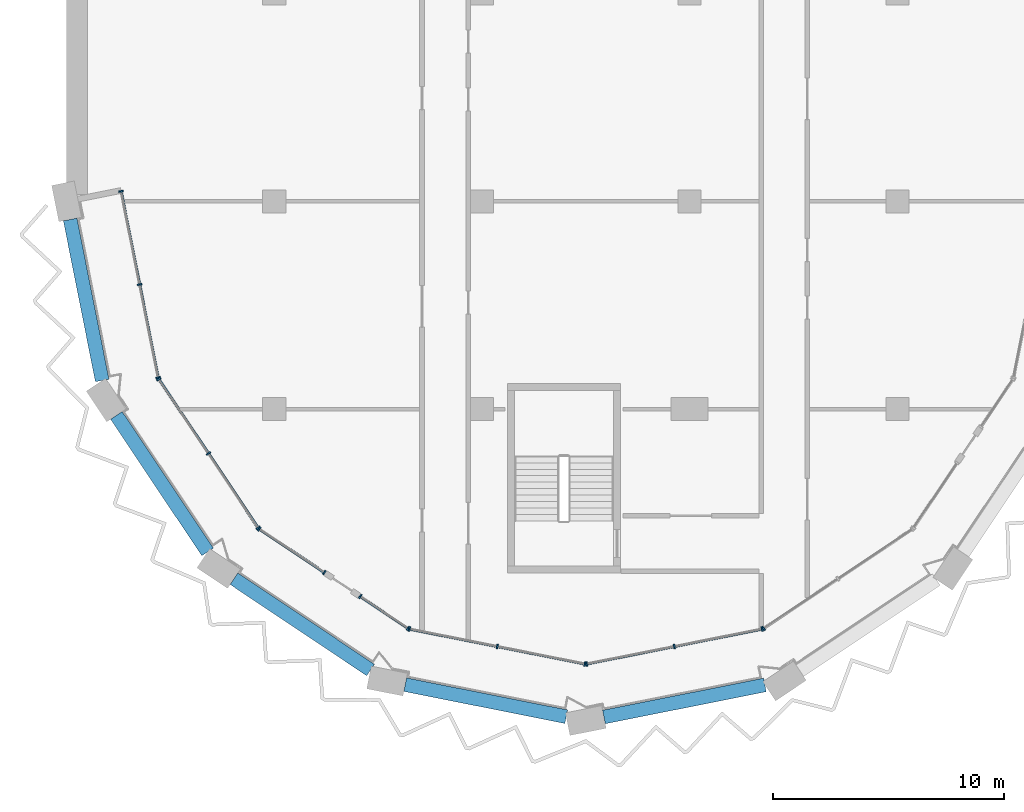
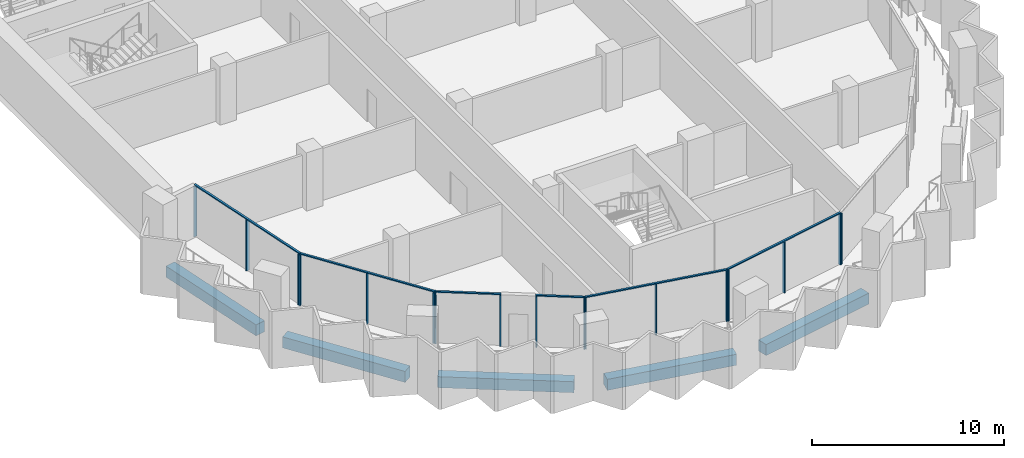
# One storey, part 2 of 16: 23 members, 5 beams, 7 elements without a shape of their own.
"""IFC4 building model written with IfcOpenShell, lengths in metres."""

from ifc_helpers import new_model, si_unit, direction, frame, origin, origin_2d, place, context, subcontext, project, spatial, rectangle, extrude, material, material_profile, profile_set, type_object, element, aggregate, save


model = new_model("IFC4")

# Units and contexts
model_context = context("Model", 3, precision=1e-05, world=origin(), true_north=direction((0.0, 1.0)))
body_context = subcontext(model_context, "Body", "Model", "MODEL_VIEW")
ifc_project = project(units=[si_unit("LENGTHUNIT", "METRE"), si_unit("AREAUNIT", "SQUARE_METRE"), si_unit("VOLUMEUNIT", "CUBIC_METRE"), si_unit("PLANEANGLEUNIT", "RADIAN"), si_unit("MASSUNIT", "GRAM", prefix="KILO")], contexts=[model_context])

# Site, building, storey
site_placement = place(None, origin())
site = spatial("IfcSite", under=ifc_project, at=site_placement, CompositionType="ELEMENT")
building_placement = place(site_placement, origin())
building = spatial("IfcBuilding", under=site, at=building_placement, Name="Hunhe Ridgeline Campus", CompositionType="ELEMENT")
storey_placement = place(building_placement, frame((0.0, 0.0, 242.89990234375)))
storey = spatial("IfcBuildingStorey", under=building, at=storey_placement, Name="L62", CompositionType="ELEMENT", Elevation=242.89990234375)

# Curtain wall, members
ifc_material_1 = material(Name="Aluminium 6063", Category="aluminium")
curtain_wall_type = type_object("IfcCurtainWallType", Name="Curtain wall CW-5", PredefinedType="NOTDEFINED", material=ifc_material_1)
curtain_wall_1_placement = place(storey_placement, origin())
curtain_wall_1 = element("IfcCurtainWall", 1, at=curtain_wall_1_placement, inside=storey, type_object=curtain_wall_type, Name="Curtain wall 01", PredefinedType="NOTDEFINED")
ifc_material_profile_1 = material_profile(ifc_material_1, rectangle(XDim=0.199951171875, YDim=0.070068359375, at=origin_2d()))
ifc_profile_set_1 = profile_set([ifc_material_profile_1], Name="Aluminium 6063")
member_type_1 = type_object("IfcMemberType", Name="CW-5 aluminium mullion", PredefinedType="MULLION", material=ifc_profile_set_1)
member_1_placement = place(storey_placement, frame((2.361572265625, 45.434326171875, 0.0), z_axis=(0.0, 0.0, 1.0), x_axis=(0.980784280831, 0.195095347137, 0.0)))
member_1 = element("IfcMember", 2, at=member_1_placement, type_object=member_type_1, Name="CW-5 mullion 1", PredefinedType="MULLION", context=body_context, shape_type="SweptSolid", body=[
    extrude(rectangle(XDim=0.199951171875, YDim=0.070068359375, at=origin_2d()), origin(), (0.0, 0.0, 1.0), 3.22998046875),
])
member_2_placement = place(storey_placement, frame((3.16455078125, 41.3974609375, 0.0), z_axis=(0.0, 0.0, 1.0), x_axis=(0.980784280831, 0.195095347137, 0.0)))
member_2 = element("IfcMember", 3, at=member_2_placement, type_object=member_type_1, Name="CW-5 mullion 2", PredefinedType="MULLION", context=body_context, shape_type="SweptSolid", body=[
    extrude(rectangle(XDim=0.199951171875, YDim=0.070068359375, at=origin_2d()), origin(), (0.0, 0.0, 1.0), 3.22998046875),
])
member_3_placement = place(storey_placement, frame((3.967529296875, 37.36083984375, 0.0), z_axis=(0.0, 0.0, 1.0), x_axis=(0.980784280831, 0.195095347137, 0.0)))
member_3 = element("IfcMember", 4, at=member_3_placement, type_object=member_type_1, Name="CW-5 mullion 3", PredefinedType="MULLION", context=body_context, shape_type="SweptSolid", body=[
    extrude(rectangle(XDim=0.199951171875, YDim=0.070068359375, at=origin_2d()), origin(), (0.0, 0.0, 1.0), 3.22998046875),
])

curtain_wall_2_placement = place(storey_placement, origin())
curtain_wall_2 = element("IfcCurtainWall", 5, at=curtain_wall_2_placement, inside=storey, type_object=curtain_wall_type, Name="Curtain wall 02", PredefinedType="NOTDEFINED")
member_4_placement = place(storey_placement, frame((3.993896484375, 37.29736328125, 0.0), z_axis=(0.0, 0.0, 1.0), x_axis=(0.831469584522, 0.555570274596, 0.0)))
member_4 = element("IfcMember", 6, at=member_4_placement, type_object=member_type_1, Name="CW-5 mullion 1", PredefinedType="MULLION", context=body_context, shape_type="SweptSolid", body=[
    extrude(rectangle(XDim=0.199951171875, YDim=0.070068359375, at=origin_2d()), origin(), (0.0, 0.0, 1.0), 3.22998046875),
])
member_5_placement = place(storey_placement, frame((6.147705078125, 34.07373046875, 0.0), z_axis=(0.0, 0.0, 1.0), x_axis=(0.831469584522, 0.555570274596, 0.0)))
member_5 = element("IfcMember", 7, at=member_5_placement, type_object=member_type_1, Name="CW-5 mullion 2", PredefinedType="MULLION", context=body_context, shape_type="SweptSolid", body=[
    extrude(rectangle(XDim=0.199951171875, YDim=0.070068359375, at=origin_2d()), origin(), (0.0, 0.0, 1.0), 3.22998046875),
])
member_6_placement = place(storey_placement, frame((8.3017578125, 30.850341796875, 0.0), z_axis=(0.0, 0.0, 1.0), x_axis=(0.831469584522, 0.555570274596, 0.0)))
member_6 = element("IfcMember", 8, at=member_6_placement, type_object=member_type_1, Name="CW-5 mullion 3", PredefinedType="MULLION", context=body_context, shape_type="SweptSolid", body=[
    extrude(rectangle(XDim=0.199951171875, YDim=0.070068359375, at=origin_2d()), origin(), (0.0, 0.0, 1.0), 3.22998046875),
])

curtain_wall_3_placement = place(storey_placement, origin())
curtain_wall_3 = element("IfcCurtainWall", 9, at=curtain_wall_3_placement, inside=storey, type_object=curtain_wall_type, Name="Curtain wall 03", PredefinedType="NOTDEFINED")
member_7_placement = place(storey_placement, frame((8.350341796875, 30.8017578125, 0.0), z_axis=(0.0, 0.0, 1.0), x_axis=(0.555570257501, 0.831469595944, 0.0)))
member_7 = element("IfcMember", 10, at=member_7_placement, type_object=member_type_1, Name="CW-5 mullion 1", PredefinedType="MULLION", context=body_context, shape_type="SweptSolid", body=[
    extrude(rectangle(XDim=0.199951171875, YDim=0.070068359375, at=origin_2d()), origin(), (0.0, 0.0, 1.0), 3.22998046875),
])
member_8_placement = place(storey_placement, frame((11.17041015625, 28.917236328125, 0.0), z_axis=(0.0, 0.0, 1.0), x_axis=(0.555570257501, 0.831469595944, 0.0)))
member_8 = element("IfcMember", 11, at=member_8_placement, type_object=member_type_1, Name="CW-5 mullion 2", PredefinedType="MULLION", context=body_context, shape_type="SweptSolid", body=[
    extrude(rectangle(XDim=0.199951171875, YDim=0.070068359375, at=origin_2d()), origin(), (0.0, 0.0, 1.0), 3.22998046875),
])

curtain_wall_4_placement = place(storey_placement, origin())
curtain_wall_4 = element("IfcCurtainWall", 12, at=curtain_wall_4_placement, inside=storey, type_object=curtain_wall_type, Name="Curtain wall 04", PredefinedType="NOTDEFINED")
member_9_placement = place(storey_placement, frame((12.725341796875, 27.87841796875, 0.0), z_axis=(0.0, 0.0, 1.0), x_axis=(0.555570385598, 0.831469510353, 0.0)))
member_9 = element("IfcMember", 13, at=member_9_placement, type_object=member_type_1, Name="CW-5 mullion 1", PredefinedType="MULLION", context=body_context, shape_type="SweptSolid", body=[
    extrude(rectangle(XDim=0.199951171875, YDim=0.070068359375, at=origin_2d()), origin(), (0.0, 0.0, 1.0), 3.22998046875),
])
member_10_placement = place(storey_placement, frame((14.79736328125, 26.493896484375, 0.0), z_axis=(0.0, 0.0, 1.0), x_axis=(0.555570385598, 0.831469510353, 0.0)))
member_10 = element("IfcMember", 14, at=member_10_placement, type_object=member_type_1, Name="CW-5 mullion 2", PredefinedType="MULLION", context=body_context, shape_type="SweptSolid", body=[
    extrude(rectangle(XDim=0.199951171875, YDim=0.070068359375, at=origin_2d()), origin(), (0.0, 0.0, 1.0), 3.22998046875),
])

curtain_wall_5_placement = place(storey_placement, origin())
curtain_wall_5 = element("IfcCurtainWall", 15, at=curtain_wall_5_placement, inside=storey, type_object=curtain_wall_type, Name="Curtain wall 05", PredefinedType="NOTDEFINED")
member_11_placement = place(storey_placement, frame((14.86083984375, 26.467529296875, 0.0), z_axis=(0.0, 0.0, 1.0), x_axis=(0.195090347539, 0.980785275326, 0.0)))
member_11 = element("IfcMember", 16, at=member_11_placement, type_object=member_type_1, Name="CW-5 mullion 1", PredefinedType="MULLION", context=body_context, shape_type="SweptSolid", body=[
    extrude(rectangle(XDim=0.199951171875, YDim=0.070068359375, at=origin_2d()), origin(), (0.0, 0.0, 1.0), 3.22998046875),
])
member_12_placement = place(storey_placement, frame((18.663330078125, 25.711181640625, 0.0), z_axis=(0.0, 0.0, 1.0), x_axis=(0.195090347539, 0.980785275326, 0.0)))
member_12 = element("IfcMember", 17, at=member_12_placement, type_object=member_type_1, Name="CW-5 mullion 2", PredefinedType="MULLION", context=body_context, shape_type="SweptSolid", body=[
    extrude(rectangle(XDim=0.199951171875, YDim=0.070068359375, at=origin_2d()), origin(), (0.0, 0.0, 1.0), 3.22998046875),
])
member_13_placement = place(storey_placement, frame((22.465576171875, 24.954833984375, 0.0), z_axis=(0.0, 0.0, 1.0), x_axis=(0.195090347539, 0.980785275326, 0.0)))
member_13 = element("IfcMember", 18, at=member_13_placement, type_object=member_type_1, Name="CW-5 mullion 3", PredefinedType="MULLION", context=body_context, shape_type="SweptSolid", body=[
    extrude(rectangle(XDim=0.199951171875, YDim=0.070068359375, at=origin_2d()), origin(), (0.0, 0.0, 1.0), 3.22998046875),
])

curtain_wall_6_placement = place(storey_placement, origin())
curtain_wall_6 = element("IfcCurtainWall", 19, at=curtain_wall_6_placement, inside=storey, type_object=curtain_wall_type, Name="Curtain wall 06", PredefinedType="NOTDEFINED")
member_14_placement = place(storey_placement, frame((22.534423828125, 24.954833984375, 0.0), z_axis=(0.0, 0.0, 1.0), x_axis=(-0.195090347539, 0.980785275326, 0.0)))
member_14 = element("IfcMember", 20, at=member_14_placement, type_object=member_type_1, Name="CW-5 mullion 1", PredefinedType="MULLION", context=body_context, shape_type="SweptSolid", body=[
    extrude(rectangle(XDim=0.199951171875, YDim=0.070068359375, at=origin_2d()), origin(), (0.0, 0.0, 1.0), 3.22998046875),
])
member_15_placement = place(storey_placement, frame((26.336669921875, 25.711181640625, 0.0), z_axis=(0.0, 0.0, 1.0), x_axis=(-0.195090347539, 0.980785275326, 0.0)))
member_15 = element("IfcMember", 21, at=member_15_placement, type_object=member_type_1, Name="CW-5 mullion 2", PredefinedType="MULLION", context=body_context, shape_type="SweptSolid", body=[
    extrude(rectangle(XDim=0.199951171875, YDim=0.070068359375, at=origin_2d()), origin(), (0.0, 0.0, 1.0), 3.22998046875),
])
member_16_placement = place(storey_placement, frame((30.13916015625, 26.467529296875, 0.0), z_axis=(0.0, 0.0, 1.0), x_axis=(-0.195090347539, 0.980785275326, 0.0)))
member_16 = element("IfcMember", 22, at=member_16_placement, type_object=member_type_1, Name="CW-5 mullion 3", PredefinedType="MULLION", context=body_context, shape_type="SweptSolid", body=[
    extrude(rectangle(XDim=0.199951171875, YDim=0.070068359375, at=origin_2d()), origin(), (0.0, 0.0, 1.0), 3.22998046875),
])

# Curtain wall, member
curtain_wall_7_placement = place(storey_placement, origin())
curtain_wall_7 = element("IfcCurtainWall", 23, at=curtain_wall_7_placement, inside=storey, type_object=curtain_wall_type, Name="Curtain wall 07", PredefinedType="NOTDEFINED")
member_17_placement = place(storey_placement, frame((30.20263671875, 26.493896484375, 0.0), z_axis=(0.0, 0.0, 1.0), x_axis=(-0.555570274596, 0.831469584522, 0.0)))
member_17 = element("IfcMember", 24, at=member_17_placement, type_object=member_type_1, Name="CW-5 mullion 1", PredefinedType="MULLION", context=body_context, shape_type="SweptSolid", body=[
    extrude(rectangle(XDim=0.199951171875, YDim=0.070068359375, at=origin_2d()), origin(), (0.0, 0.0, 1.0), 3.22998046875),
])
aggregate(curtain_wall_7, [member_17])

# Member
ifc_material_profile_2 = material_profile(ifc_material_1, rectangle(XDim=0.1201171875, YDim=0.070068359375, at=origin_2d()))
ifc_profile_set_2 = profile_set([ifc_material_profile_2], Name="Aluminium 6063")
member_type_2 = type_object("IfcMemberType", Name="CW-5 aluminium transom", PredefinedType="USERDEFINED", material=ifc_profile_set_2)
member_18_placement = place(storey_placement, frame((2.354736328125, 45.46875, 3.26513671875), z_axis=(0.195092405068, -0.980784866056, 0.0), x_axis=(0.980784866056, 0.195092405068, 0.0)))
member_18 = element("IfcMember", 25, at=member_18_placement, type_object=member_type_2, Name="CW-5 transom 1", ObjectType="TRANSOM", PredefinedType="USERDEFINED", context=body_context, shape_type="SweptSolid", body=[
    extrude(rectangle(XDim=0.1201171875, YDim=0.070068359375, at=origin_2d()), origin(), (0.0, 0.0, 1.0), 8.3017578125),
])

aggregate(curtain_wall_1, [member_18, member_1, member_2, member_3])

member_19_placement = place(storey_placement, frame((3.974365234375, 37.326416015625, 3.26513671875), z_axis=(0.5555640203, -0.831473763475, 0.0), x_axis=(0.831473763475, 0.5555640203, 0.0)))
member_19 = element("IfcMember", 26, at=member_19_placement, type_object=member_type_2, Name="CW-5 transom 1", ObjectType="TRANSOM", PredefinedType="USERDEFINED", context=body_context, shape_type="SweptSolid", body=[
    extrude(rectangle(XDim=0.1201171875, YDim=0.070068359375, at=origin_2d()), origin(), (0.0, 0.0, 1.0), 7.823974609375),
])

aggregate(curtain_wall_2, [member_19, member_4, member_5, member_6])

member_20_placement = place(storey_placement, frame((8.321044921875, 30.821044921875, 3.26513671875), z_axis=(0.831485714606, -0.555546133463, 0.0), x_axis=(0.555546133463, 0.831485714606, 0.0)))
member_20 = element("IfcMember", 27, at=member_20_placement, type_object=member_type_2, Name="CW-5 transom 1", ObjectType="TRANSOM", PredefinedType="USERDEFINED", context=body_context, shape_type="SweptSolid", body=[
    extrude(rectangle(XDim=0.1201171875, YDim=0.070068359375, at=origin_2d()), origin(), (0.0, 0.0, 1.0), 3.462158203125),
])

aggregate(curtain_wall_3, [member_20, member_7, member_8])

member_21_placement = place(storey_placement, frame((12.6962890625, 27.897705078125, 3.26513671875), z_axis=(0.831463388334, -0.555579547735, 0.0), x_axis=(0.555579547735, 0.831463388334, 0.0)))
member_21 = element("IfcMember", 28, at=member_21_placement, type_object=member_type_2, Name="CW-5 transom 1", ObjectType="TRANSOM", PredefinedType="USERDEFINED", context=body_context, shape_type="SweptSolid", body=[
    extrude(rectangle(XDim=0.1201171875, YDim=0.070068359375, at=origin_2d()), origin(), (0.0, 0.0, 1.0), 2.56201171875),
])

aggregate(curtain_wall_4, [member_21, member_9, member_10])

member_22_placement = place(storey_placement, frame((14.826416015625, 26.474365234375, 3.26513671875), z_axis=(0.980785367689, -0.195089883198, 0.0), x_axis=(0.195089883198, 0.980785367689, 0.0)))
member_22 = element("IfcMember", 29, at=member_22_placement, type_object=member_type_2, Name="CW-5 transom 1", ObjectType="TRANSOM", PredefinedType="USERDEFINED", context=body_context, shape_type="SweptSolid", body=[
    extrude(rectangle(XDim=0.1201171875, YDim=0.070068359375, at=origin_2d()), origin(), (0.0, 0.0, 1.0), 7.823974609375),
])

aggregate(curtain_wall_5, [member_22, member_11, member_12, member_13])

member_23_placement = place(storey_placement, frame((22.5, 24.947998046875, 3.26513671875), z_axis=(0.980785367689, 0.195089883198, 0.0), x_axis=(-0.195089883198, 0.980785367689, 0.0)))
member_23 = element("IfcMember", 30, at=member_23_placement, type_object=member_type_2, Name="CW-5 transom 1", ObjectType="TRANSOM", PredefinedType="USERDEFINED", context=body_context, shape_type="SweptSolid", body=[
    extrude(rectangle(XDim=0.1201171875, YDim=0.070068359375, at=origin_2d()), origin(), (0.0, 0.0, 1.0), 7.823974609375),
])

aggregate(curtain_wall_6, [member_23, member_14, member_15, member_16])

# Beams
ifc_material_2 = material(Name="Concrete C50", Category="concrete")
ifc_material_profile_3 = material_profile(ifc_material_2, rectangle(XDim=0.60009765625, YDim=0.699951171875, at=origin_2d()))
ifc_profile_set_3 = profile_set([ifc_material_profile_3], Name="Concrete C50")
beam_type = type_object("IfcBeamType", Name="RC spandrel beam 600x700 Concrete C50", PredefinedType="SPANDREL", material=ifc_profile_set_3)
for number, where, z_axis, x_axis, name in (
    (31, (0.156005859375, 44.21533203125, -0.599853515625), (0.195092933717, -0.9807847609, 0.0), (0.9807847609, 0.195092933717, 0.0), "Spandrel beam B4-1 L62"),
    (32, (2.1572265625, 35.724365234375, -0.599853515625), (0.55557907181, -0.831463706344, 0.0), (0.831463706344, 0.55557907181, 0.0), "Spandrel beam B4-2 L62"),
    (33, (7.25537109375, 28.645751953125, -0.599853515625), (0.831463706344, -0.55557907181, 0.0), (0.55557907181, 0.831463706344, 0.0), "Spandrel beam B4-3 L62"),
    (34, (14.67431640625, 24.056640625, -0.599853515625), (0.9807847609, -0.195092933717, 0.0), (0.195092933717, 0.9807847609, 0.0), "Spandrel beam B4-4 L62"),
    (35, (23.28466796875, 22.656005859375, -0.599853515625), (0.9807847609, 0.195092933717, 0.0), (-0.195092933717, 0.9807847609, 0.0), "Spandrel beam B4-5 L62"),
):
    element("IfcBeam", number, at=place(storey_placement, frame(where, z_axis=z_axis, x_axis=x_axis)), inside=storey, type_object=beam_type, Name=name, PredefinedType="SPANDREL", context=body_context, shape_type="SweptSolid", body=[
        extrude(rectangle(XDim=0.60009765625, YDim=0.699951171875, at=origin_2d()), origin(), (0.0, 0.0, 1.0), 7.113037109375),
    ])

save(model, "model.ifc")
